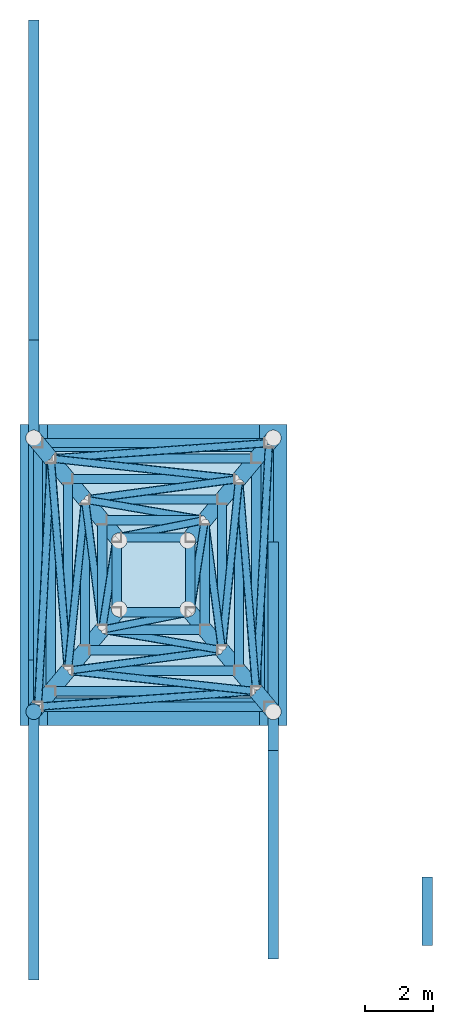
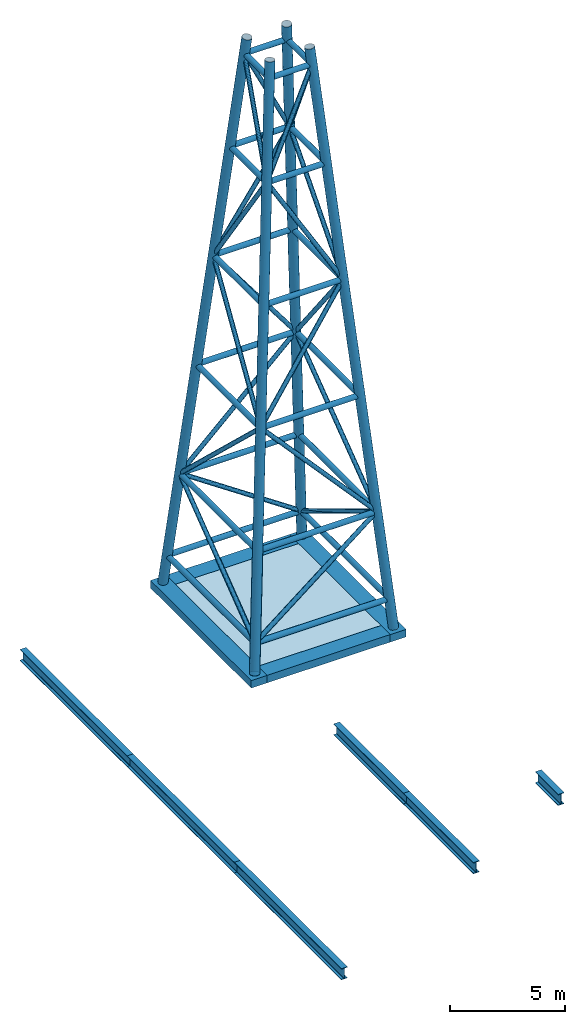
# One storey, part 1 of 4: 48 members, 10 beams, 1 discrete accessory, 1 slab.
"""IFC4 building model written with IfcOpenShell, lengths in metres."""

import ifcopenshell
import ifcopenshell.guid

model = None  # the IFC model being written
_history = None  # IfcOwnerHistory: only IFC2X3 demands one
_inside = {}  # id of a spatial element -> (the spatial element, [elements in it])
_under = {}  # id of a project, library or spatial element -> (it, [spatial elements below it])
_declared = {}  # id of a project -> (the project, [libraries it declares])
_typed = {}  # id of a type object -> (the type object, [elements of that type])
_made_of = {}  # id of a material, layer set ... -> (it, [elements and type objects made of it])


def new_model(schema):
    """Start an empty IFC model of exactly this schema.

    Asked for "IFC4X3", IfcOpenShell would pick the latest addendum, in which some entities
    have other attributes; the version numbers below select the first issue.
    IFC2X3 requires an IfcOwnerHistory on every rooted entity: one is made here for all.
    """
    global model, _history
    if schema == "IFC4X3":
        model = ifcopenshell.file(schema_version=(4, 3, 0, 0))
    else:
        model = ifcopenshell.file(schema=schema)
    _inside.clear()
    _under.clear()
    _declared.clear()
    _typed.clear()
    _made_of.clear()
    _history = None
    if model.schema == "IFC2X3":
        org = make("IfcOrganization", Name="unknown")
        user = make(
            "IfcPersonAndOrganization",
            ThePerson=make("IfcPerson", FamilyName="unknown"),
            TheOrganization=org,
        )
        app = make(
            "IfcApplication",
            ApplicationDeveloper=org,
            Version="unknown",
            ApplicationFullName="unknown",
            ApplicationIdentifier="unknown",
        )
        _history = make(
            "IfcOwnerHistory",
            OwningUser=user,
            OwningApplication=app,
            ChangeAction="ADDED",
            CreationDate=0,
        )
    return model


def make(cls, **values):
    """One entity of the class cls with the attributes given. An attribute that is None is left unset."""
    return model.create_entity(
        cls, **{name: value for name, value in values.items() if value is not None}
    )


def rooted(cls, **values):
    """An entity with a GlobalId (a new one), such as an element, a storey or a relation."""
    return make(cls, GlobalId=ifcopenshell.guid.new(), OwnerHistory=_history, **values)


def si_unit(unit_type, name, prefix=None):
    """IfcSIUnit, for example si_unit("LENGTHUNIT", "METRE", prefix="MILLI")."""
    return make("IfcSIUnit", UnitType=unit_type, Prefix=prefix, Name=name)


def assignment(units):
    """IfcUnitAssignment: the units of a project."""
    return None if units is None else make("IfcUnitAssignment", Units=units)


def point(xyz):
    """IfcCartesianPoint."""
    return None if xyz is None else make("IfcCartesianPoint", Coordinates=xyz)


def direction(xyz):
    """IfcDirection."""
    return None if xyz is None else make("IfcDirection", DirectionRatios=xyz)


def frame(location, z_axis=None, x_axis=None):
    """IfcAxis2Placement3D, a coordinate frame: its origin and axes. An axis left out is left unset."""
    return make(
        "IfcAxis2Placement3D",
        Location=point(location),
        Axis=direction(z_axis),
        RefDirection=direction(x_axis),
    )


def frame_2d(location, x_axis=None):
    """IfcAxis2Placement2D, a coordinate frame in the plane: its origin and x axis."""
    return make(
        "IfcAxis2Placement2D", Location=point(location), RefDirection=direction(x_axis)
    )


def origin():
    """The frame at (0, 0, 0) with its axes left unset."""
    return frame((0.0, 0.0, 0.0))


def origin_2d():
    """The frame at (0, 0) in the plane with its x axis left unset."""
    return frame_2d((0.0, 0.0))


def place(relative_to, where):
    """IfcLocalPlacement: puts the frame where relative to a parent placement (None: the world)."""
    return make(
        "IfcLocalPlacement", PlacementRelTo=relative_to, RelativePlacement=where
    )


def context(
    kind, dimensions, precision=None, world=None, true_north=None, identifier=None
):
    """IfcGeometricRepresentationContext, for example the 3D "Model" context."""
    return make(
        "IfcGeometricRepresentationContext",
        ContextIdentifier=identifier,
        ContextType=kind,
        CoordinateSpaceDimension=dimensions,
        Precision=precision,
        WorldCoordinateSystem=world,
        TrueNorth=true_north,
    )


def subcontext(parent, identifier, kind, view, scale=None):
    """IfcGeometricRepresentationSubContext, for example "Body" below "Model"."""
    return make(
        "IfcGeometricRepresentationSubContext",
        ContextIdentifier=identifier,
        ContextType=kind,
        ParentContext=parent,
        TargetScale=scale,
        TargetView=view,
    )


def project(units=None, contexts=None):
    """IfcProject with its units and contexts."""
    return rooted(
        "IfcProject",
        Name="project",
        RepresentationContexts=contexts,
        UnitsInContext=assignment(units),
    )


def spatial(cls, under=None, at=None, **own):
    """A site, building, storey or space (cls), placed at a placement, below another one or the project."""
    s = rooted(cls, ObjectPlacement=at, **own)
    if under is not None:
        _under.setdefault(under.id(), (under, []))[1].append(s)
    return s


def polyline(points):
    """IfcPolyline through the points."""
    return make("IfcPolyline", Points=[point(p) for p in points])


def profile(cls, at=None, kind="AREA", **sizes):
    """A parametric profile (cls). Its sizes go by their IFC names, for example OverallWidth=200.0."""
    return make(cls, ProfileType=kind, Position=at, **sizes)


def rectangle(**sizes):
    """IfcRectangleProfileDef."""
    return profile("IfcRectangleProfileDef", **sizes)


def circle(**sizes):
    """IfcCircleProfileDef."""
    return profile("IfcCircleProfileDef", **sizes)


def hollow_circle(**sizes):
    """IfcCircleHollowProfileDef."""
    return profile("IfcCircleHollowProfileDef", **sizes)


def i_section(**sizes):
    """IfcIShapeProfileDef."""
    return profile("IfcIShapeProfileDef", **sizes)


def outline(outer, holes=None, kind="AREA"):
    """IfcArbitraryClosedProfileDef: a profile drawn as a closed curve; with holes, ...WithVoids."""
    if holes is None:
        return make("IfcArbitraryClosedProfileDef", ProfileType=kind, OuterCurve=outer)
    return make(
        "IfcArbitraryProfileDefWithVoids",
        ProfileType=kind,
        OuterCurve=outer,
        InnerCurves=holes,
    )


def extrude(swept, where, along, depth):
    """IfcExtrudedAreaSolid: the profile swept, set in the frame where, extruded along a direction by depth."""
    return make(
        "IfcExtrudedAreaSolid",
        SweptArea=swept,
        Position=where,
        ExtrudedDirection=direction(along),
        Depth=depth,
    )


def shape(context_of_items, identifier, shape_type, items):
    """IfcShapeRepresentation: the items that make up one representation, for example the "Body"."""
    return make(
        "IfcShapeRepresentation",
        ContextOfItems=context_of_items,
        RepresentationIdentifier=identifier,
        RepresentationType=shape_type,
        Items=items,
    )


def material(Name=None, Category=None):
    """IfcMaterial."""
    return make("IfcMaterial", Name=Name, Category=Category)


def layer(
    of_material, thickness, ventilated=None, Name=None, Category=None, Priority=None
):
    """IfcMaterialLayer: one layer of a wall or slab, of a material (None: an air gap)."""
    return make(
        "IfcMaterialLayer",
        Material=of_material,
        LayerThickness=thickness,
        IsVentilated=ventilated,
        Name=Name,
        Category=Category,
        Priority=Priority,
    )


def layer_set(layers, Name=None):
    """IfcMaterialLayerSet."""
    return make("IfcMaterialLayerSet", MaterialLayers=layers, LayerSetName=Name)


def material_profile(
    of_material, cross_section, Name=None, Category=None, Priority=None
):
    """IfcMaterialProfile: a cross section and its material."""
    return make(
        "IfcMaterialProfile",
        Name=Name,
        Material=of_material,
        Profile=cross_section,
        Priority=Priority,
        Category=Category,
    )


def profile_set(profiles, Name=None, composite=None):
    """IfcMaterialProfileSet."""
    return make(
        "IfcMaterialProfileSet",
        Name=Name,
        MaterialProfiles=profiles,
        CompositeProfile=composite,
    )


def made_of(thing, what):
    """Note that an element or type object is made of a material, layer set ...; save() writes the relation."""
    if what is not None:
        _made_of.setdefault(what.id(), (what, []))[1].append(thing)
    return thing


def type_object(cls, material=None, **own):
    """A type object (cls), such as IfcWallType, which elements share."""
    return made_of(rooted(cls, **own), material)


def element(
    cls,
    number,
    at=None,
    inside=None,
    cuts=None,
    type_object=None,
    material=None,
    context=None,
    identifier="Body",
    shape_type=None,
    held_by="IfcProductDefinitionShape",
    body=None,
    shapes=None,
    **own,
):
    """One element of the class cls, such as IfcWall. Its Tag is "e" and its number.

    at: its placement. inside: the storey or other place that contains it. cuts: it is an
    opening in that element (IfcRelVoidsElement). A single representation is given by context,
    identifier, shape_type and body (its items); several are given by shapes. held_by: the class
    of the entity that holds the representations. save() writes the other relations.
    """
    e = rooted(cls, Tag="e%d" % number, ObjectPlacement=at, **own)
    if body is not None:
        shapes = [shape(context, identifier, shape_type, body)]
    if shapes is not None:
        e.Representation = make(held_by, Representations=shapes)
    if inside is not None:
        _inside.setdefault(inside.id(), (inside, []))[1].append(e)
    if cuts is not None:
        rooted(
            "IfcRelVoidsElement", RelatingBuildingElement=cuts, RelatedOpeningElement=e
        )
    if type_object is not None:
        _typed.setdefault(type_object.id(), (type_object, []))[1].append(e)
    return made_of(e, material)


def aggregate(whole, parts):
    """IfcRelAggregates: a whole, such as a stair, and the parts it consists of."""
    return rooted("IfcRelAggregates", RelatingObject=whole, RelatedObjects=parts)


def save(model, path):
    """Write the relations noted so far, then the file.

    IfcRelAggregates (storeys below a building ...), IfcRelContainedInSpatialStructure (elements
    in a storey), IfcRelDefinesByType, IfcRelAssociatesMaterial and IfcRelDeclares: one each for
    every whole, place, type object, material and project.
    """
    for whole, parts in _under.values():
        aggregate(whole, parts)
    for where, things in _inside.values():
        rooted(
            "IfcRelContainedInSpatialStructure",
            RelatedElements=things,
            RelatingStructure=where,
        )
    for kind, things in _typed.values():
        rooted("IfcRelDefinesByType", RelatedObjects=things, RelatingType=kind)
    for what, things in _made_of.values():
        rooted("IfcRelAssociatesMaterial", RelatedObjects=things, RelatingMaterial=what)
    for by, libraries in _declared.values():
        rooted("IfcRelDeclares", RelatingContext=by, RelatedDefinitions=libraries)
    model.write(path)


model = new_model("IFC4")

# Units and contexts
model_context = context("Model", 3, precision=1e-05, world=origin(), true_north=direction((0.0, 1.0)))
body_context = subcontext(model_context, "Body", "Model", "MODEL_VIEW")
ifc_project = project(units=[si_unit("LENGTHUNIT", "METRE"), si_unit("AREAUNIT", "SQUARE_METRE"), si_unit("VOLUMEUNIT", "CUBIC_METRE"), si_unit("PLANEANGLEUNIT", "RADIAN"), si_unit("MASSUNIT", "GRAM", prefix="KILO")], contexts=[model_context])

# Site, building, storey
site_placement = place(None, origin())
site = spatial("IfcSite", under=ifc_project, at=site_placement, CompositionType="ELEMENT")
building_placement = place(site_placement, origin())
building = spatial("IfcBuilding", under=site, at=building_placement, Name="Wharfspan Tower", CompositionType="ELEMENT")
storey_placement = place(building_placement, frame((0.0, 0.0, 291.360107)))
storey = spatial("IfcBuildingStorey", under=building, at=storey_placement, Name="ROOF", CompositionType="ELEMENT", Elevation=291.360107)

# Members
ifc_material_1 = material(Name="Steel S460NH", Category="steel")
ifc_material_profile_1 = material_profile(ifc_material_1, hollow_circle(Radius=0.109619, WallThickness=0.008057, at=origin_2d()))
ifc_profile_set_1 = profile_set([ifc_material_profile_1], Name="Steel S460NH")
member_type_1 = type_object("IfcMemberType", Name="Broadcast mast dia CHS 219.1x8", PredefinedType="BRACE", material=ifc_profile_set_1)
member_1_placement = place(storey_placement, frame((65.238037, 16.157959, 2.177246), z_axis=(0.815603, 0.057577, 0.57574), x_axis=(-0.070422, 0.997518, 4e-06)))
element("IfcMember", 1, at=member_1_placement, inside=storey, type_object=member_type_1, Name="Broadcast mast diagonal 1 side 1", PredefinedType="BRACE", context=body_context, shape_type="SweptSolid", body=[
    extrude(hollow_circle(Radius=0.109619, WallThickness=0.008057, at=origin_2d()), origin(), (0.0, 0.0, 1.0), 7.539062),
])
member_2_placement = place(storey_placement, frame((71.868896, 23.732422, 2.17041), z_axis=(-0.043898, -0.848812, 0.52687), x_axis=(0.998666, -0.051648, 0.0)))
element("IfcMember", 2, at=member_2_placement, inside=storey, type_object=member_type_1, Name="Broadcast mast diagonal 1 side 2", PredefinedType="BRACE", context=body_context, shape_type="SweptSolid", body=[
    extrude(hollow_circle(Radius=0.109619, WallThickness=0.008057, at=origin_2d()), origin(), (0.0, 0.0, 1.0), 8.264404),
])
member_3_placement = place(storey_placement, frame((71.761963, 23.842041, 2.177246), z_axis=(-0.815603, -0.057577, 0.57574), x_axis=(0.070422, -0.997518, 4e-06)))
element("IfcMember", 3, at=member_3_placement, inside=storey, type_object=member_type_1, Name="Broadcast mast diagonal 1 side 3", PredefinedType="BRACE", context=body_context, shape_type="SweptSolid", body=[
    extrude(hollow_circle(Radius=0.109619, WallThickness=0.008057, at=origin_2d()), origin(), (0.0, 0.0, 1.0), 7.539062),
])
member_4_placement = place(storey_placement, frame((65.131104, 16.267578, 2.17041), z_axis=(0.043898, 0.848812, 0.52687), x_axis=(-0.998666, 0.051648, 0.0)))
element("IfcMember", 4, at=member_4_placement, inside=storey, type_object=member_type_1, Name="Broadcast mast diagonal 1 side 4", PredefinedType="BRACE", context=body_context, shape_type="SweptSolid", body=[
    extrude(hollow_circle(Radius=0.109619, WallThickness=0.008057, at=origin_2d()), origin(), (0.0, 0.0, 1.0), 8.264404),
])
member_5_placement = place(storey_placement, frame((71.406738, 16.610107, 6.699463), z_axis=(-0.673905, 0.073509, 0.735152), x_axis=(-0.108438, -0.994102, -2e-06)))
element("IfcMember", 5, at=member_5_placement, inside=storey, type_object=member_type_1, Name="Broadcast mast diagonal 2 side 1", PredefinedType="BRACE", context=body_context, shape_type="SweptSolid", body=[
    extrude(hollow_circle(Radius=0.109619, WallThickness=0.008057, at=origin_2d()), origin(), (0.0, 0.0, 1.0), 7.884521),
])
member_6_placement = place(storey_placement, frame((71.491943, 16.699463, 6.693604), z_axis=(-0.057844, 0.717385, 0.694271), x_axis=(-0.996766, -0.08037, -1e-06)))
element("IfcMember", 6, at=member_6_placement, inside=storey, type_object=member_type_1, Name="Broadcast mast diagonal 2 side 2", PredefinedType="BRACE", context=body_context, shape_type="SweptSolid", body=[
    extrude(hollow_circle(Radius=0.109619, WallThickness=0.008057, at=origin_2d()), origin(), (0.0, 0.0, 1.0), 8.365479),
])
member_7_placement = place(storey_placement, frame((65.593262, 23.389893, 6.699463), z_axis=(0.673905, -0.073509, 0.735152), x_axis=(0.108438, 0.994102, -2e-06)))
element("IfcMember", 7, at=member_7_placement, inside=storey, type_object=member_type_1, Name="Broadcast mast diagonal 2 side 3", PredefinedType="BRACE", context=body_context, shape_type="SweptSolid", body=[
    extrude(hollow_circle(Radius=0.109619, WallThickness=0.008057, at=origin_2d()), origin(), (0.0, 0.0, 1.0), 7.884521),
])
member_8_placement = place(storey_placement, frame((65.508057, 23.300537, 6.693604), z_axis=(0.057844, -0.717385, 0.694271), x_axis=(0.996766, 0.08037, -1e-06)))
element("IfcMember", 8, at=member_8_placement, inside=storey, type_object=member_type_1, Name="Broadcast mast diagonal 2 side 4", PredefinedType="BRACE", context=body_context, shape_type="SweptSolid", body=[
    extrude(hollow_circle(Radius=0.109619, WallThickness=0.008057, at=origin_2d()), origin(), (0.0, 0.0, 1.0), 8.365479),
])
member_9_placement = place(storey_placement, frame((66.082764, 17.210938, 12.708008), z_axis=(0.598104, 0.079774, 0.797438), x_axis=(-0.132206, 0.991222, -1e-06)))
element("IfcMember", 9, at=member_9_placement, inside=storey, type_object=member_type_1, Name="Broadcast mast diagonal 3 side 1", PredefinedType="BRACE", context=body_context, shape_type="SweptSolid", body=[
    extrude(hollow_circle(Radius=0.109619, WallThickness=0.008057, at=origin_2d()), origin(), (0.0, 0.0, 1.0), 7.24707),
])
member_10_placement = place(storey_placement, frame((70.991211, 22.711426, 12.703857), z_axis=(-0.063904, -0.638876, 0.766651), x_axis=(0.995035, -0.099529, 0.0)))
element("IfcMember", 10, at=member_10_placement, inside=storey, type_object=member_type_1, Name="Broadcast mast diagonal 3 side 2", PredefinedType="BRACE", context=body_context, shape_type="SweptSolid", body=[
    extrude(hollow_circle(Radius=0.109619, WallThickness=0.008057, at=origin_2d()), origin(), (0.0, 0.0, 1.0), 7.549072),
])
member_11_placement = place(storey_placement, frame((70.917236, 22.789062, 12.708008), z_axis=(-0.598104, -0.079774, 0.797438), x_axis=(0.132206, -0.991222, -1e-06)))
element("IfcMember", 11, at=member_11_placement, inside=storey, type_object=member_type_1, Name="Broadcast mast diagonal 3 side 3", PredefinedType="BRACE", context=body_context, shape_type="SweptSolid", body=[
    extrude(hollow_circle(Radius=0.109619, WallThickness=0.008057, at=origin_2d()), origin(), (0.0, 0.0, 1.0), 7.24707),
])
member_12_placement = place(storey_placement, frame((66.008789, 17.288574, 12.703857), z_axis=(0.063904, 0.638876, 0.766651), x_axis=(-0.995035, 0.099529, 0.0)))
element("IfcMember", 12, at=member_12_placement, inside=storey, type_object=member_type_1, Name="Broadcast mast diagonal 3 side 4", PredefinedType="BRACE", context=body_context, shape_type="SweptSolid", body=[
    extrude(hollow_circle(Radius=0.109619, WallThickness=0.008057, at=origin_2d()), origin(), (0.0, 0.0, 1.0), 7.549072),
])
member_13_placement = place(storey_placement, frame((70.43042, 17.812012, 18.716797), z_axis=(-0.501999, 0.086061, 0.860575), x_axis=(-0.168971, -0.985618, 0.0)))
element("IfcMember", 13, at=member_13_placement, inside=storey, type_object=member_type_1, Name="Broadcast mast diagonal 4 side 1", PredefinedType="BRACE", context=body_context, shape_type="SweptSolid", body=[
    extrude(hollow_circle(Radius=0.109619, WallThickness=0.008057, at=origin_2d()), origin(), (0.0, 0.0, 1.0), 6.694824),
])
member_14_placement = place(storey_placement, frame((70.490234, 17.873779, 18.714355), z_axis=(-0.070215, 0.533748, 0.842723), x_axis=(-0.991457, -0.130427, 0.0)))
element("IfcMember", 14, at=member_14_placement, inside=storey, type_object=member_type_1, Name="Broadcast mast diagonal 4 side 2", PredefinedType="BRACE", context=body_context, shape_type="SweptSolid", body=[
    extrude(hollow_circle(Radius=0.109619, WallThickness=0.008057, at=origin_2d()), origin(), (0.0, 0.0, 1.0), 6.842773),
])
member_15_placement = place(storey_placement, frame((66.56958, 22.187988, 18.716797), z_axis=(0.501999, -0.086061, 0.860575), x_axis=(0.168971, 0.985618, 0.0)))
element("IfcMember", 15, at=member_15_placement, inside=storey, type_object=member_type_1, Name="Broadcast mast diagonal 4 side 3", PredefinedType="BRACE", context=body_context, shape_type="SweptSolid", body=[
    extrude(hollow_circle(Radius=0.109619, WallThickness=0.008057, at=origin_2d()), origin(), (0.0, 0.0, 1.0), 6.694824),
])
member_16_placement = place(storey_placement, frame((66.509766, 22.126221, 18.714355), z_axis=(0.070215, -0.533748, 0.842723), x_axis=(0.991457, 0.130427, 0.0)))
element("IfcMember", 16, at=member_16_placement, inside=storey, type_object=member_type_1, Name="Broadcast mast diagonal 4 side 4", PredefinedType="BRACE", context=body_context, shape_type="SweptSolid", body=[
    extrude(hollow_circle(Radius=0.109619, WallThickness=0.008057, at=origin_2d()), origin(), (0.0, 0.0, 1.0), 6.842773),
])
member_17_placement = place(storey_placement, frame((67.062256, 18.412354, 24.720703), z_axis=(0.448892, 0.088911, 0.889152), x_axis=(-0.194289, 0.980942, -2e-06)))
element("IfcMember", 17, at=member_17_placement, inside=storey, type_object=member_type_1, Name="Broadcast mast diagonal 5 side 1", PredefinedType="BRACE", context=body_context, shape_type="SweptSolid", body=[
    extrude(hollow_circle(Radius=0.109619, WallThickness=0.008057, at=origin_2d()), origin(), (0.0, 0.0, 1.0), 5.458984),
])
member_18_placement = place(storey_placement, frame((69.989746, 21.535645, 24.719727), z_axis=(-0.07349, -0.465289, 0.882103), x_axis=(0.987755, -0.156007, 2e-06)))
element("IfcMember", 18, at=member_18_placement, inside=storey, type_object=member_type_1, Name="Broadcast mast diagonal 5 side 2", PredefinedType="BRACE", context=body_context, shape_type="SweptSolid", body=[
    extrude(hollow_circle(Radius=0.109619, WallThickness=0.008057, at=origin_2d()), origin(), (0.0, 0.0, 1.0), 5.504639),
])
member_19_placement = place(storey_placement, frame((69.937744, 21.587646, 24.720703), z_axis=(-0.448892, -0.088911, 0.889152), x_axis=(0.194289, -0.980942, -2e-06)))
element("IfcMember", 19, at=member_19_placement, inside=storey, type_object=member_type_1, Name="Broadcast mast diagonal 5 side 3", PredefinedType="BRACE", context=body_context, shape_type="SweptSolid", body=[
    extrude(hollow_circle(Radius=0.109619, WallThickness=0.008057, at=origin_2d()), origin(), (0.0, 0.0, 1.0), 5.458984),
])
member_20_placement = place(storey_placement, frame((67.010254, 18.464355, 24.719727), z_axis=(0.07349, 0.465289, 0.882103), x_axis=(-0.987755, 0.156007, 2e-06)))
element("IfcMember", 20, at=member_20_placement, inside=storey, type_object=member_type_1, Name="Broadcast mast diagonal 5 side 4", PredefinedType="BRACE", context=body_context, shape_type="SweptSolid", body=[
    extrude(hollow_circle(Radius=0.109619, WallThickness=0.008057, at=origin_2d()), origin(), (0.0, 0.0, 1.0), 5.504639),
])
ifc_material_profile_2 = material_profile(ifc_material_1, hollow_circle(Radius=0.136475, WallThickness=0.01001, at=origin_2d()))
ifc_profile_set_2 = profile_set([ifc_material_profile_2], Name="Steel S460NH")
member_type_2 = type_object("IfcMemberType", Name="Broadcast mast hor CHS 273x10", PredefinedType="BRACE", material=ifc_profile_set_2)
member_21_placement = place(storey_placement, frame((65.263428, 16.149902, 2.097656), z_axis=(1.0, 0.0, 0.0), x_axis=(0.0, 1.0, 0.0)))
element("IfcMember", 21, at=member_21_placement, inside=storey, type_object=member_type_2, Name="Broadcast mast ring 1 side 1", PredefinedType="BRACE", context=body_context, shape_type="SweptSolid", body=[
    extrude(hollow_circle(Radius=0.136475, WallThickness=0.01001, at=origin_2d()), origin(), (0.0, 0.0, 1.0), 6.473145),
])
member_22_placement = place(storey_placement, frame((71.875, 16.288574, 2.097656), z_axis=(0.0, 1.0, 0.0), x_axis=(-1.0, 0.0, 0.0)))
element("IfcMember", 22, at=member_22_placement, inside=storey, type_object=member_type_2, Name="Broadcast mast ring 1 side 2", PredefinedType="BRACE", context=body_context, shape_type="SweptSolid", body=[
    extrude(hollow_circle(Radius=0.136475, WallThickness=0.01001, at=origin_2d()), origin(), (0.0, 0.0, 1.0), 7.422852),
])
member_23_placement = place(storey_placement, frame((71.736572, 23.850098, 2.097656), z_axis=(-1.0, 0.0, 0.0), x_axis=(0.0, -1.0, 0.0)))
element("IfcMember", 23, at=member_23_placement, inside=storey, type_object=member_type_2, Name="Broadcast mast ring 1 side 3", PredefinedType="BRACE", context=body_context, shape_type="SweptSolid", body=[
    extrude(hollow_circle(Radius=0.136475, WallThickness=0.01001, at=origin_2d()), origin(), (0.0, 0.0, 1.0), 6.473145),
])
member_24_placement = place(storey_placement, frame((65.125, 23.711426, 2.097656), z_axis=(0.0, -1.0, 0.0), x_axis=(1.0, 0.0, 0.0)))
element("IfcMember", 24, at=member_24_placement, inside=storey, type_object=member_type_2, Name="Broadcast mast ring 1 side 4", PredefinedType="BRACE", context=body_context, shape_type="SweptSolid", body=[
    extrude(hollow_circle(Radius=0.136475, WallThickness=0.01001, at=origin_2d()), origin(), (0.0, 0.0, 1.0), 7.422852),
])
member_25_placement = place(storey_placement, frame((65.638428, 16.600098, 6.597656), z_axis=(1.0, 0.0, 0.0), x_axis=(0.0, 1.0, 0.0)))
element("IfcMember", 25, at=member_25_placement, inside=storey, type_object=member_type_2, Name="Broadcast mast ring 2 side 1", PredefinedType="BRACE", context=body_context, shape_type="SweptSolid", body=[
    extrude(hollow_circle(Radius=0.136475, WallThickness=0.01001, at=origin_2d()), origin(), (0.0, 0.0, 1.0), 5.723145),
])
member_26_placement = place(storey_placement, frame((71.5, 16.738525, 6.597656), z_axis=(0.0, 1.0, 0.0), x_axis=(-1.0, 0.0, 0.0)))
element("IfcMember", 26, at=member_26_placement, inside=storey, type_object=member_type_2, Name="Broadcast mast ring 2 side 2", PredefinedType="BRACE", context=body_context, shape_type="SweptSolid", body=[
    extrude(hollow_circle(Radius=0.136475, WallThickness=0.01001, at=origin_2d()), origin(), (0.0, 0.0, 1.0), 6.522949),
])
member_27_placement = place(storey_placement, frame((71.361572, 23.399902, 6.597656), z_axis=(-1.0, 0.0, 0.0), x_axis=(0.0, -1.0, 0.0)))
element("IfcMember", 27, at=member_27_placement, inside=storey, type_object=member_type_2, Name="Broadcast mast ring 2 side 3", PredefinedType="BRACE", context=body_context, shape_type="SweptSolid", body=[
    extrude(hollow_circle(Radius=0.136475, WallThickness=0.01001, at=origin_2d()), origin(), (0.0, 0.0, 1.0), 5.723145),
])
member_28_placement = place(storey_placement, frame((65.5, 23.261475, 6.597656), z_axis=(0.0, -1.0, 0.0), x_axis=(1.0, 0.0, 0.0)))
element("IfcMember", 28, at=member_28_placement, inside=storey, type_object=member_type_2, Name="Broadcast mast ring 2 side 4", PredefinedType="BRACE", context=body_context, shape_type="SweptSolid", body=[
    extrude(hollow_circle(Radius=0.136475, WallThickness=0.01001, at=origin_2d()), origin(), (0.0, 0.0, 1.0), 6.522949),
])
member_29_placement = place(storey_placement, frame((66.138428, 17.199951, 12.597656), z_axis=(1.0, 0.0, 0.0), x_axis=(0.0, 1.0, 0.0)))
element("IfcMember", 29, at=member_29_placement, inside=storey, type_object=member_type_2, Name="Broadcast mast ring 3 side 1", PredefinedType="BRACE", context=body_context, shape_type="SweptSolid", body=[
    extrude(hollow_circle(Radius=0.136475, WallThickness=0.01001, at=origin_2d()), origin(), (0.0, 0.0, 1.0), 4.723145),
])
member_30_placement = place(storey_placement, frame((71.0, 17.338379, 12.597656), z_axis=(0.0, 1.0, 0.0), x_axis=(-1.0, 0.0, 0.0)))
element("IfcMember", 30, at=member_30_placement, inside=storey, type_object=member_type_2, Name="Broadcast mast ring 3 side 2", PredefinedType="BRACE", context=body_context, shape_type="SweptSolid", body=[
    extrude(hollow_circle(Radius=0.136475, WallThickness=0.01001, at=origin_2d()), origin(), (0.0, 0.0, 1.0), 5.323242),
])
member_31_placement = place(storey_placement, frame((70.861572, 22.800049, 12.597656), z_axis=(-1.0, 0.0, 0.0), x_axis=(0.0, -1.0, 0.0)))
element("IfcMember", 31, at=member_31_placement, inside=storey, type_object=member_type_2, Name="Broadcast mast ring 3 side 3", PredefinedType="BRACE", context=body_context, shape_type="SweptSolid", body=[
    extrude(hollow_circle(Radius=0.136475, WallThickness=0.01001, at=origin_2d()), origin(), (0.0, 0.0, 1.0), 4.723145),
])
member_32_placement = place(storey_placement, frame((66.0, 22.661621, 12.597656), z_axis=(0.0, -1.0, 0.0), x_axis=(1.0, 0.0, 0.0)))
element("IfcMember", 32, at=member_32_placement, inside=storey, type_object=member_type_2, Name="Broadcast mast ring 3 side 4", PredefinedType="BRACE", context=body_context, shape_type="SweptSolid", body=[
    extrude(hollow_circle(Radius=0.136475, WallThickness=0.01001, at=origin_2d()), origin(), (0.0, 0.0, 1.0), 5.323242),
])
member_33_placement = place(storey_placement, frame((66.638428, 17.800049, 18.597656), z_axis=(1.0, 0.0, 0.0), x_axis=(0.0, 1.0, 0.0)))
element("IfcMember", 33, at=member_33_placement, inside=storey, type_object=member_type_2, Name="Broadcast mast ring 4 side 1", PredefinedType="BRACE", context=body_context, shape_type="SweptSolid", body=[
    extrude(hollow_circle(Radius=0.136475, WallThickness=0.01001, at=origin_2d()), origin(), (0.0, 0.0, 1.0), 3.723145),
])
member_34_placement = place(storey_placement, frame((70.5, 17.938477, 18.597656), z_axis=(0.0, 1.0, 0.0), x_axis=(-1.0, 0.0, 0.0)))
element("IfcMember", 34, at=member_34_placement, inside=storey, type_object=member_type_2, Name="Broadcast mast ring 4 side 2", PredefinedType="BRACE", context=body_context, shape_type="SweptSolid", body=[
    extrude(hollow_circle(Radius=0.136475, WallThickness=0.01001, at=origin_2d()), origin(), (0.0, 0.0, 1.0), 4.123047),
])
member_35_placement = place(storey_placement, frame((70.361572, 22.199951, 18.597656), z_axis=(-1.0, 0.0, 0.0), x_axis=(0.0, -1.0, 0.0)))
element("IfcMember", 35, at=member_35_placement, inside=storey, type_object=member_type_2, Name="Broadcast mast ring 4 side 3", PredefinedType="BRACE", context=body_context, shape_type="SweptSolid", body=[
    extrude(hollow_circle(Radius=0.136475, WallThickness=0.01001, at=origin_2d()), origin(), (0.0, 0.0, 1.0), 3.723145),
])
member_36_placement = place(storey_placement, frame((66.5, 22.061523, 18.597656), z_axis=(0.0, -1.0, 0.0), x_axis=(1.0, 0.0, 0.0)))
element("IfcMember", 36, at=member_36_placement, inside=storey, type_object=member_type_2, Name="Broadcast mast ring 4 side 4", PredefinedType="BRACE", context=body_context, shape_type="SweptSolid", body=[
    extrude(hollow_circle(Radius=0.136475, WallThickness=0.01001, at=origin_2d()), origin(), (0.0, 0.0, 1.0), 4.123047),
])
member_37_placement = place(storey_placement, frame((67.138428, 18.399902, 24.597656), z_axis=(1.0, 0.0, 0.0), x_axis=(0.0, 1.0, 0.0)))
element("IfcMember", 37, at=member_37_placement, inside=storey, type_object=member_type_2, Name="Broadcast mast ring 5 side 1", PredefinedType="BRACE", context=body_context, shape_type="SweptSolid", body=[
    extrude(hollow_circle(Radius=0.136475, WallThickness=0.01001, at=origin_2d()), origin(), (0.0, 0.0, 1.0), 2.723145),
])
member_38_placement = place(storey_placement, frame((70.0, 18.538574, 24.597656), z_axis=(0.0, 1.0, 0.0), x_axis=(-1.0, 0.0, 0.0)))
element("IfcMember", 38, at=member_38_placement, inside=storey, type_object=member_type_2, Name="Broadcast mast ring 5 side 2", PredefinedType="BRACE", context=body_context, shape_type="SweptSolid", body=[
    extrude(hollow_circle(Radius=0.136475, WallThickness=0.01001, at=origin_2d()), origin(), (0.0, 0.0, 1.0), 2.922852),
])
member_39_placement = place(storey_placement, frame((69.861572, 21.600098, 24.597656), z_axis=(-1.0, 0.0, 0.0), x_axis=(0.0, -1.0, 0.0)))
element("IfcMember", 39, at=member_39_placement, inside=storey, type_object=member_type_2, Name="Broadcast mast ring 5 side 3", PredefinedType="BRACE", context=body_context, shape_type="SweptSolid", body=[
    extrude(hollow_circle(Radius=0.136475, WallThickness=0.01001, at=origin_2d()), origin(), (0.0, 0.0, 1.0), 2.723145),
])
member_40_placement = place(storey_placement, frame((67.0, 21.461426, 24.597656), z_axis=(0.0, -1.0, 0.0), x_axis=(1.0, 0.0, 0.0)))
element("IfcMember", 40, at=member_40_placement, inside=storey, type_object=member_type_2, Name="Broadcast mast ring 5 side 4", PredefinedType="BRACE", context=body_context, shape_type="SweptSolid", body=[
    extrude(hollow_circle(Radius=0.136475, WallThickness=0.01001, at=origin_2d()), origin(), (0.0, 0.0, 1.0), 2.922852),
])
member_41_placement = place(storey_placement, frame((67.563477, 18.909912, 29.69751), z_axis=(1.0, 0.0, 0.0), x_axis=(0.0, 1.0, 0.0)))
element("IfcMember", 41, at=member_41_placement, inside=storey, type_object=member_type_2, Name="Broadcast mast ring 6 side 1", PredefinedType="BRACE", context=body_context, shape_type="SweptSolid", body=[
    extrude(hollow_circle(Radius=0.136475, WallThickness=0.01001, at=origin_2d()), origin(), (0.0, 0.0, 1.0), 1.873047),
])
member_42_placement = place(storey_placement, frame((69.574951, 19.048584, 29.69751), z_axis=(0.0, 1.0, 0.0), x_axis=(-1.0, 0.0, 0.0)))
element("IfcMember", 42, at=member_42_placement, inside=storey, type_object=member_type_2, Name="Broadcast mast ring 6 side 2", PredefinedType="BRACE", context=body_context, shape_type="SweptSolid", body=[
    extrude(hollow_circle(Radius=0.136475, WallThickness=0.01001, at=origin_2d()), origin(), (0.0, 0.0, 1.0), 1.902832),
])
member_43_placement = place(storey_placement, frame((69.436523, 21.090088, 29.69751), z_axis=(-1.0, 0.0, 0.0), x_axis=(0.0, -1.0, 0.0)))
element("IfcMember", 43, at=member_43_placement, inside=storey, type_object=member_type_2, Name="Broadcast mast ring 6 side 3", PredefinedType="BRACE", context=body_context, shape_type="SweptSolid", body=[
    extrude(hollow_circle(Radius=0.136475, WallThickness=0.01001, at=origin_2d()), origin(), (0.0, 0.0, 1.0), 1.873047),
])
member_44_placement = place(storey_placement, frame((67.425049, 20.951416, 29.69751), z_axis=(0.0, -1.0, 0.0), x_axis=(1.0, 0.0, 0.0)))
element("IfcMember", 44, at=member_44_placement, inside=storey, type_object=member_type_2, Name="Broadcast mast ring 6 side 4", PredefinedType="BRACE", context=body_context, shape_type="SweptSolid", body=[
    extrude(hollow_circle(Radius=0.136475, WallThickness=0.01001, at=origin_2d()), origin(), (0.0, 0.0, 1.0), 1.902832),
])
ifc_material_profile_3 = material_profile(ifc_material_1, hollow_circle(Radius=0.228516, WallThickness=0.016113, at=origin_2d()))
ifc_profile_set_3 = profile_set([ifc_material_profile_3], Name="Steel S460NH")
member_type_3 = type_object("IfcMemberType", Name="Broadcast mast leg CHS 457x16", PredefinedType="POST", material=ifc_profile_set_3)
for number, where, z_axis, x_axis, name in (
    (45, (65.0, 16.0, 0.597656), (0.082636, 0.099163, 0.991634), (-0.768218, 0.640183, 0.0), "Broadcast mast leg 1"),
    (46, (72.0, 16.0, 0.597656), (-0.082636, 0.099163, 0.991634), (-0.768218, -0.640183, 0.0), "Broadcast mast leg 2"),
    (47, (72.0, 24.0, 0.597656), (-0.082636, -0.099163, 0.991634), (0.768218, -0.640183, 0.0), "Broadcast mast leg 3"),
    (48, (65.0, 24.0, 0.597656), (0.082636, -0.099163, 0.991634), (0.768218, 0.640183, 0.0), "Broadcast mast leg 4"),
):
    element("IfcMember", number, at=place(storey_placement, frame(where, z_axis=z_axis, x_axis=x_axis)), inside=storey, type_object=member_type_3, Name=name, PredefinedType="POST", context=body_context, shape_type="SweptSolid", body=[
        extrude(hollow_circle(Radius=0.228516, WallThickness=0.016113, at=origin_2d()), origin(), (0.0, 0.0, 1.0), 30.253174),
    ])

# Beams
ifc_material_2 = material(Name="Concrete C50/60", Category="concrete")
ifc_material_profile_4 = material_profile(ifc_material_2, rectangle(XDim=0.800049, YDim=0.399902, at=origin_2d()))
ifc_profile_set_4 = profile_set([ifc_material_profile_4], Name="Concrete C50/60")
beam_type_1 = type_object("IfcBeamType", Name="Drum ring beam 800x400 C50/60", PredefinedType="BEAM", material=ifc_profile_set_4)
for number, where, z_axis, x_axis, name in (
    (49, (65.0, 15.600098, 0.397461), (0.0, 1.0, 0.0), (-1.0, 0.0, 0.0), "Plant drum ring beam 1"),
    (50, (72.0, 15.600098, 0.397461), (0.0, 1.0, 0.0), (-1.0, 0.0, 0.0), "Plant drum ring beam 2"),
):
    element("IfcBeam", number, at=place(storey_placement, frame(where, z_axis=z_axis, x_axis=x_axis)), inside=storey, type_object=beam_type_1, Name=name, PredefinedType="BEAM", context=body_context, shape_type="SweptSolid", body=[
        extrude(rectangle(XDim=0.800049, YDim=0.399902, at=origin_2d()), origin(), (0.0, 0.0, 1.0), 8.799805),
    ])
for number, where, z_axis, x_axis, name in (
    (51, (65.399902, 16.0, 0.397461), (1.0, 0.0, 0.0), (0.0, 1.0, 0.0), "Plant drum ring beam 3"),
    (52, (65.399902, 24.0, 0.397461), (1.0, 0.0, 0.0), (0.0, 1.0, 0.0), "Plant drum ring beam 4"),
):
    element("IfcBeam", number, at=place(storey_placement, frame(where, z_axis=z_axis, x_axis=x_axis)), inside=storey, type_object=beam_type_1, Name=name, PredefinedType="BEAM", context=body_context, shape_type="SweptSolid", body=[
        extrude(rectangle(XDim=0.800049, YDim=0.399902, at=origin_2d()), origin(), (0.0, 0.0, 1.0), 6.200195),
    ])
ifc_material_3 = material(Name="Steel S355J2", Category="steel")
ifc_material_profile_5 = material_profile(ifc_material_3, i_section(OverallWidth=0.300049, OverallDepth=0.600098, WebThickness=0.015381, FlangeThickness=0.030029, FilletRadius=0.0271, at=origin_2d()))
ifc_profile_set_5 = profile_set([ifc_material_profile_5], Name="Steel S355J2")
beam_type_2 = type_object("IfcBeamType", Name="Roof girder HEB 600", PredefinedType="BEAM", material=ifc_profile_set_5)
beam_1_placement = place(storey_placement, frame((65.0, 8.162598, -10.625488), z_axis=(0.0, 1.0, 0.0), x_axis=(-1.0, 0.0, 0.0)))
element("IfcBeam", 53, at=beam_1_placement, inside=storey, type_object=beam_type_2, Name="Roof girder G7 8 to 18", PredefinedType="BEAM", context=body_context, shape_type="SweptSolid", body=[
    extrude(i_section(OverallWidth=0.300049, OverallDepth=0.600098, WebThickness=0.015381, FlangeThickness=0.030029, FilletRadius=0.0271, at=origin_2d()), origin(), (0.0, 0.0, 1.0), 9.349609),
])
beam_2_placement = place(storey_placement, frame((65.0, 17.512207, -10.625488), z_axis=(0.0, 1.0, 0.0), x_axis=(-1.0, 0.0, 0.0)))
element("IfcBeam", 54, at=beam_2_placement, inside=storey, type_object=beam_type_2, Name="Roof girder G7 18 to 27", PredefinedType="BEAM", context=body_context, shape_type="SweptSolid", body=[
    extrude(i_section(OverallWidth=0.300049, OverallDepth=0.600098, WebThickness=0.015381, FlangeThickness=0.030029, FilletRadius=0.0271, at=origin_2d()), origin(), (0.0, 0.0, 1.0), 9.349365),
])
beam_3_placement = place(storey_placement, frame((65.0, 26.861572, -10.625488), z_axis=(0.0, 1.0, 0.0), x_axis=(-1.0, 0.0, 0.0)))
element("IfcBeam", 55, at=beam_3_placement, inside=storey, type_object=beam_type_2, Name="Roof girder G7 27 to 36", PredefinedType="BEAM", context=body_context, shape_type="SweptSolid", body=[
    extrude(i_section(OverallWidth=0.300049, OverallDepth=0.600098, WebThickness=0.015381, FlangeThickness=0.030029, FilletRadius=0.0271, at=origin_2d()), origin(), (0.0, 0.0, 1.0), 9.349609),
])
beam_4_placement = place(storey_placement, frame((72.0, 8.775146, -7.797363), z_axis=(0.0, 1.0, 0.0), x_axis=(-1.0, 0.0, 0.0)))
element("IfcBeam", 56, at=beam_4_placement, inside=storey, type_object=beam_type_2, Name="Roof girder G8 9 to 15", PredefinedType="BEAM", context=body_context, shape_type="SweptSolid", body=[
    extrude(i_section(OverallWidth=0.300049, OverallDepth=0.600098, WebThickness=0.015381, FlangeThickness=0.030029, FilletRadius=0.0271, at=origin_2d()), origin(), (0.0, 0.0, 1.0), 6.095703),
])
beam_5_placement = place(storey_placement, frame((72.0, 14.87085, -7.797363), z_axis=(0.0, 1.0, 0.0), x_axis=(-1.0, 0.0, 0.0)))
element("IfcBeam", 57, at=beam_5_placement, inside=storey, type_object=beam_type_2, Name="Roof girder G8 15 to 21", PredefinedType="BEAM", context=body_context, shape_type="SweptSolid", body=[
    extrude(i_section(OverallWidth=0.300049, OverallDepth=0.600098, WebThickness=0.015381, FlangeThickness=0.030029, FilletRadius=0.0271, at=origin_2d()), origin(), (0.0, 0.0, 1.0), 6.095947),
])
beam_6_placement = place(storey_placement, frame((76.5, 9.168701, -5.979248), z_axis=(0.0, 1.0, 0.0), x_axis=(-1.0, 0.0, 0.0)))
element("IfcBeam", 58, at=beam_6_placement, inside=storey, type_object=beam_type_2, Name="Roof girder G9 9 to 11", PredefinedType="BEAM", context=body_context, shape_type="SweptSolid", body=[
    extrude(i_section(OverallWidth=0.300049, OverallDepth=0.600098, WebThickness=0.015381, FlangeThickness=0.030029, FilletRadius=0.0271, at=origin_2d()), origin(), (0.0, 0.0, 1.0), 1.998047),
])

# Slab
ifc_layer = layer(ifc_material_2, 0.300049)
ifc_layer_set = layer_set([ifc_layer], Name="Concrete C50/60")
slab_type = type_object("IfcSlabType", Name="Drum roof slab 300 C50/60", PredefinedType="ROOF", material=ifc_layer_set)
slab_placement = place(storey_placement, frame((0.0, 0.0, 0.297607)))
element("IfcSlab", 59, at=slab_placement, inside=storey, type_object=slab_type, Name="Plant drum roof slab", PredefinedType="ROOF", context=body_context, shape_type="SweptSolid", body=[
    extrude(outline(polyline([(65.399902, 16.399902), (71.600098, 16.399902), (71.600098, 23.600098), (65.399902, 23.600098), (65.399902, 16.399902)])), origin(), (0.0, 0.0, 1.0), 0.300049),
])

# Discrete accessory
ifc_material_profile_6 = material_profile(ifc_material_1, circle(Radius=0.228516, at=origin_2d()))
ifc_profile_set_6 = profile_set([ifc_material_profile_6], Name="Steel S460NH")
discrete_accessory_type = type_object("IfcDiscreteAccessoryType", Name="End plate CHS 457x16", PredefinedType="BRACKET", material=ifc_profile_set_6)
discrete_accessory_placement = place(storey_placement, frame((64.999268, 15.999023, 0.587646), z_axis=(0.072633, 0.096844, 0.992646), x_axis=(-0.8, 0.6, 0.0)))
element("IfcDiscreteAccessory", 60, at=discrete_accessory_placement, inside=storey, type_object=discrete_accessory_type, Name="End plate CHS 457x16", PredefinedType="BRACKET", context=body_context, shape_type="SweptSolid", body=[
    extrude(circle(Radius=0.228516, at=origin_2d()), origin(), (0.0, 0.0, 1.0), 0.01001),
])

save(model, "model.ifc")
